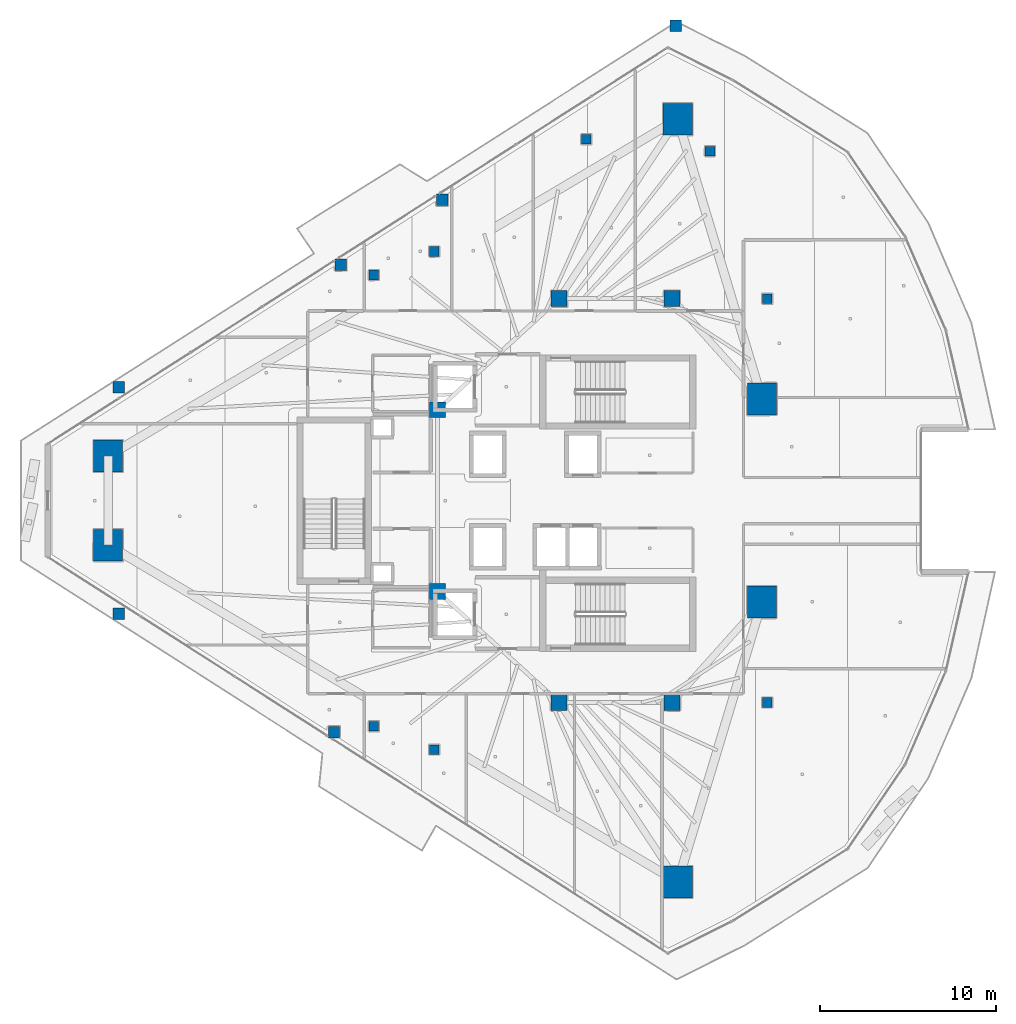
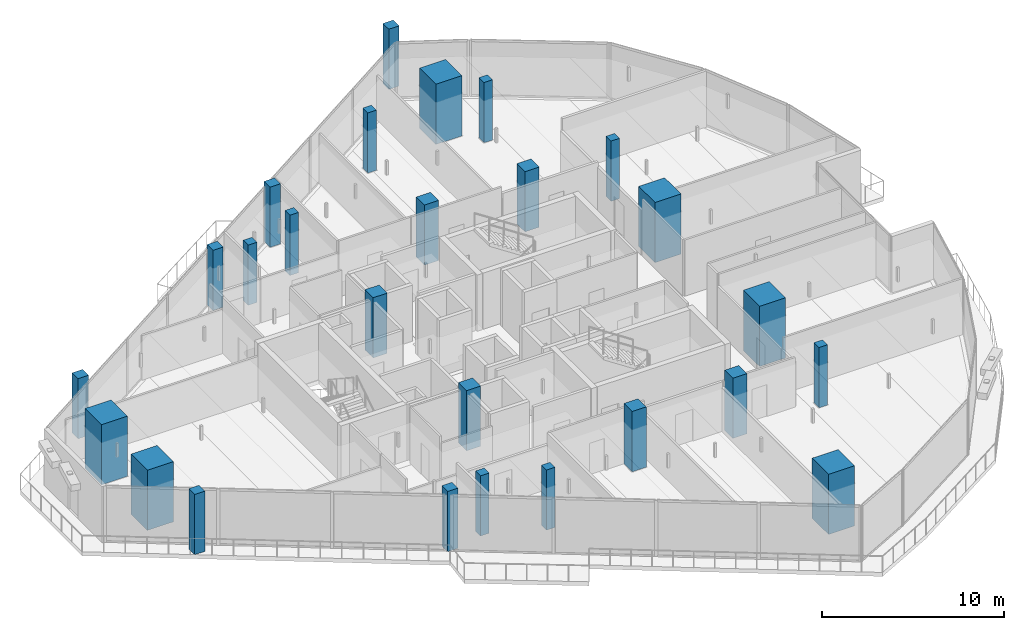
# One storey, part 1 of 36: 26 columns.
"""IFC4 building model written with IfcOpenShell, lengths in metres."""

import ifcopenshell
import ifcopenshell.guid

model = None  # the IFC model being written
_history = None  # IfcOwnerHistory: only IFC2X3 demands one
_inside = {}  # id of a spatial element -> (the spatial element, [elements in it])
_under = {}  # id of a project, library or spatial element -> (it, [spatial elements below it])
_declared = {}  # id of a project -> (the project, [libraries it declares])
_typed = {}  # id of a type object -> (the type object, [elements of that type])
_made_of = {}  # id of a material, layer set ... -> (it, [elements and type objects made of it])


def new_model(schema):
    """Start an empty IFC model of exactly this schema.

    Asked for "IFC4X3", IfcOpenShell would pick the latest addendum, in which some entities
    have other attributes; the version numbers below select the first issue.
    IFC2X3 requires an IfcOwnerHistory on every rooted entity: one is made here for all.
    """
    global model, _history
    if schema == "IFC4X3":
        model = ifcopenshell.file(schema_version=(4, 3, 0, 0))
    else:
        model = ifcopenshell.file(schema=schema)
    _inside.clear()
    _under.clear()
    _declared.clear()
    _typed.clear()
    _made_of.clear()
    _history = None
    if model.schema == "IFC2X3":
        org = make("IfcOrganization", Name="unknown")
        user = make(
            "IfcPersonAndOrganization",
            ThePerson=make("IfcPerson", FamilyName="unknown"),
            TheOrganization=org,
        )
        app = make(
            "IfcApplication",
            ApplicationDeveloper=org,
            Version="unknown",
            ApplicationFullName="unknown",
            ApplicationIdentifier="unknown",
        )
        _history = make(
            "IfcOwnerHistory",
            OwningUser=user,
            OwningApplication=app,
            ChangeAction="ADDED",
            CreationDate=0,
        )
    return model


def make(cls, **values):
    """One entity of the class cls with the attributes given. An attribute that is None is left unset."""
    return model.create_entity(
        cls, **{name: value for name, value in values.items() if value is not None}
    )


def rooted(cls, **values):
    """An entity with a GlobalId (a new one), such as an element, a storey or a relation."""
    return make(cls, GlobalId=ifcopenshell.guid.new(), OwnerHistory=_history, **values)


def si_unit(unit_type, name, prefix=None):
    """IfcSIUnit, for example si_unit("LENGTHUNIT", "METRE", prefix="MILLI")."""
    return make("IfcSIUnit", UnitType=unit_type, Prefix=prefix, Name=name)


def assignment(units):
    """IfcUnitAssignment: the units of a project."""
    return None if units is None else make("IfcUnitAssignment", Units=units)


def point(xyz):
    """IfcCartesianPoint."""
    return None if xyz is None else make("IfcCartesianPoint", Coordinates=xyz)


def direction(xyz):
    """IfcDirection."""
    return None if xyz is None else make("IfcDirection", DirectionRatios=xyz)


def frame(location, z_axis=None, x_axis=None):
    """IfcAxis2Placement3D, a coordinate frame: its origin and axes. An axis left out is left unset."""
    return make(
        "IfcAxis2Placement3D",
        Location=point(location),
        Axis=direction(z_axis),
        RefDirection=direction(x_axis),
    )


def frame_2d(location, x_axis=None):
    """IfcAxis2Placement2D, a coordinate frame in the plane: its origin and x axis."""
    return make(
        "IfcAxis2Placement2D", Location=point(location), RefDirection=direction(x_axis)
    )


def origin():
    """The frame at (0, 0, 0) with its axes left unset."""
    return frame((0.0, 0.0, 0.0))


def origin_2d():
    """The frame at (0, 0) in the plane with its x axis left unset."""
    return frame_2d((0.0, 0.0))


def place(relative_to, where):
    """IfcLocalPlacement: puts the frame where relative to a parent placement (None: the world)."""
    return make(
        "IfcLocalPlacement", PlacementRelTo=relative_to, RelativePlacement=where
    )


def context(
    kind, dimensions, precision=None, world=None, true_north=None, identifier=None
):
    """IfcGeometricRepresentationContext, for example the 3D "Model" context."""
    return make(
        "IfcGeometricRepresentationContext",
        ContextIdentifier=identifier,
        ContextType=kind,
        CoordinateSpaceDimension=dimensions,
        Precision=precision,
        WorldCoordinateSystem=world,
        TrueNorth=true_north,
    )


def subcontext(parent, identifier, kind, view, scale=None):
    """IfcGeometricRepresentationSubContext, for example "Body" below "Model"."""
    return make(
        "IfcGeometricRepresentationSubContext",
        ContextIdentifier=identifier,
        ContextType=kind,
        ParentContext=parent,
        TargetScale=scale,
        TargetView=view,
    )


def project(units=None, contexts=None):
    """IfcProject with its units and contexts."""
    return rooted(
        "IfcProject",
        Name="project",
        RepresentationContexts=contexts,
        UnitsInContext=assignment(units),
    )


def spatial(cls, under=None, at=None, **own):
    """A site, building, storey or space (cls), placed at a placement, below another one or the project."""
    s = rooted(cls, ObjectPlacement=at, **own)
    if under is not None:
        _under.setdefault(under.id(), (under, []))[1].append(s)
    return s


def profile(cls, at=None, kind="AREA", **sizes):
    """A parametric profile (cls). Its sizes go by their IFC names, for example OverallWidth=200.0."""
    return make(cls, ProfileType=kind, Position=at, **sizes)


def rectangle(**sizes):
    """IfcRectangleProfileDef."""
    return profile("IfcRectangleProfileDef", **sizes)


def extrude(swept, where, along, depth):
    """IfcExtrudedAreaSolid: the profile swept, set in the frame where, extruded along a direction by depth."""
    return make(
        "IfcExtrudedAreaSolid",
        SweptArea=swept,
        Position=where,
        ExtrudedDirection=direction(along),
        Depth=depth,
    )


def shape(context_of_items, identifier, shape_type, items):
    """IfcShapeRepresentation: the items that make up one representation, for example the "Body"."""
    return make(
        "IfcShapeRepresentation",
        ContextOfItems=context_of_items,
        RepresentationIdentifier=identifier,
        RepresentationType=shape_type,
        Items=items,
    )


def material(Name=None, Category=None):
    """IfcMaterial."""
    return make("IfcMaterial", Name=Name, Category=Category)


def material_profile(
    of_material, cross_section, Name=None, Category=None, Priority=None
):
    """IfcMaterialProfile: a cross section and its material."""
    return make(
        "IfcMaterialProfile",
        Name=Name,
        Material=of_material,
        Profile=cross_section,
        Priority=Priority,
        Category=Category,
    )


def profile_set(profiles, Name=None, composite=None):
    """IfcMaterialProfileSet."""
    return make(
        "IfcMaterialProfileSet",
        Name=Name,
        MaterialProfiles=profiles,
        CompositeProfile=composite,
    )


def made_of(thing, what):
    """Note that an element or type object is made of a material, layer set ...; save() writes the relation."""
    if what is not None:
        _made_of.setdefault(what.id(), (what, []))[1].append(thing)
    return thing


def type_object(cls, material=None, **own):
    """A type object (cls), such as IfcWallType, which elements share."""
    return made_of(rooted(cls, **own), material)


def element(
    cls,
    number,
    at=None,
    inside=None,
    cuts=None,
    type_object=None,
    material=None,
    context=None,
    identifier="Body",
    shape_type=None,
    held_by="IfcProductDefinitionShape",
    body=None,
    shapes=None,
    **own,
):
    """One element of the class cls, such as IfcWall. Its Tag is "e" and its number.

    at: its placement. inside: the storey or other place that contains it. cuts: it is an
    opening in that element (IfcRelVoidsElement). A single representation is given by context,
    identifier, shape_type and body (its items); several are given by shapes. held_by: the class
    of the entity that holds the representations. save() writes the other relations.
    """
    e = rooted(cls, Tag="e%d" % number, ObjectPlacement=at, **own)
    if body is not None:
        shapes = [shape(context, identifier, shape_type, body)]
    if shapes is not None:
        e.Representation = make(held_by, Representations=shapes)
    if inside is not None:
        _inside.setdefault(inside.id(), (inside, []))[1].append(e)
    if cuts is not None:
        rooted(
            "IfcRelVoidsElement", RelatingBuildingElement=cuts, RelatedOpeningElement=e
        )
    if type_object is not None:
        _typed.setdefault(type_object.id(), (type_object, []))[1].append(e)
    return made_of(e, material)


def aggregate(whole, parts):
    """IfcRelAggregates: a whole, such as a stair, and the parts it consists of."""
    return rooted("IfcRelAggregates", RelatingObject=whole, RelatedObjects=parts)


def save(model, path):
    """Write the relations noted so far, then the file.

    IfcRelAggregates (storeys below a building ...), IfcRelContainedInSpatialStructure (elements
    in a storey), IfcRelDefinesByType, IfcRelAssociatesMaterial and IfcRelDeclares: one each for
    every whole, place, type object, material and project.
    """
    for whole, parts in _under.values():
        aggregate(whole, parts)
    for where, things in _inside.values():
        rooted(
            "IfcRelContainedInSpatialStructure",
            RelatedElements=things,
            RelatingStructure=where,
        )
    for kind, things in _typed.values():
        rooted("IfcRelDefinesByType", RelatedObjects=things, RelatingType=kind)
    for what, things in _made_of.values():
        rooted("IfcRelAssociatesMaterial", RelatedObjects=things, RelatingMaterial=what)
    for by, libraries in _declared.values():
        rooted("IfcRelDeclares", RelatingContext=by, RelatedDefinitions=libraries)
    model.write(path)


model = new_model("IFC4")

# Units and contexts
model_context = context("Model", 3, precision=1e-05, world=origin(), true_north=direction((0.0, 1.0)))
body_context = subcontext(model_context, "Body", "Model", "MODEL_VIEW")
ifc_project = project(units=[si_unit("LENGTHUNIT", "METRE"), si_unit("AREAUNIT", "SQUARE_METRE"), si_unit("VOLUMEUNIT", "CUBIC_METRE"), si_unit("PLANEANGLEUNIT", "RADIAN"), si_unit("MASSUNIT", "GRAM", prefix="KILO")], contexts=[model_context])

# Site, building, storey
site_placement = place(None, origin())
site = spatial("IfcSite", under=ifc_project, at=site_placement, CompositionType="ELEMENT")
building_placement = place(site_placement, origin())
building = spatial("IfcBuilding", under=site, at=building_placement, Name="Qorvath Tower", CompositionType="ELEMENT")
storey_placement = place(building_placement, frame((0.0, 0.0, 241.5)))
storey = spatial("IfcBuildingStorey", under=building, at=storey_placement, Name="L56", CompositionType="ELEMENT", Elevation=241.5)

# Columns
ifc_material_1 = material(Name="Concrete C60/75", Category="concrete")
ifc_material_profile_1 = material_profile(ifc_material_1, rectangle(XDim=1.64990234375, YDim=1.800048828125, at=origin_2d()), Name="MC 1800x1650")
ifc_profile_set_1 = profile_set([ifc_material_profile_1], Name="Concrete C60/75")
column_type_1 = type_object("IfcColumnType", Name="COL-MC4", PredefinedType="COLUMN", material=ifc_profile_set_1)
for number, where, z_axis, x_axis, name in (
    (1, (-49.171875, 2.52783203125, 0.0), (0.0, 0.0, 1.0), (1.0, 0.0, 0.0), "Composite Mega-Column MC1 L56"),
    (2, (-49.171875, -2.52783203125, 0.0), (0.0, 0.0, 1.0), (1.0, 0.0, 0.0), "Composite Mega-Column MC2 L56"),
    (3, (-16.87158203125, -21.627197265625, 0.0), (0.0, 0.0, 1.0), (1.0, 0.0, 0.0), "Composite Mega-Column MC3 L56"),
    (4, (-12.0966796875, -5.7578125, 0.0), (0.0, 0.0, 1.0), (1.0, 0.0, 0.0), "Composite Mega-Column MC4 L56"),
    (5, (-12.0966796875, 5.7578125, 0.0), (0.0, 0.0, 1.0), (1.0, 0.0, 0.0), "Composite Mega-Column MC5 L56"),
    (6, (-16.87158203125, 21.627197265625, 0.0), (0.0, 0.0, 1.0), (1.0, 0.0, 0.0), "Composite Mega-Column MC6 L56"),
):
    element("IfcColumn", number, at=place(storey_placement, frame(where, z_axis=z_axis, x_axis=x_axis)), inside=storey, type_object=column_type_1, Name=name, PredefinedType="COLUMN", context=body_context, shape_type="SweptSolid", body=[
        extrude(rectangle(XDim=1.64990234375, YDim=1.800048828125, at=origin_2d()), origin(), (0.0, 0.0, 1.0), 4.050048828125),
    ])
ifc_material_2 = material(Name="Concrete C50/60", Category="concrete")
ifc_material_profile_2 = material_profile(ifc_material_2, rectangle(XDim=0.89990234375, YDim=0.89990234375, at=origin_2d()), Name="RC 900x900")
ifc_profile_set_2 = profile_set([ifc_material_profile_2], Name="Concrete C50/60")
column_type_2 = type_object("IfcColumnType", Name="COL-RC3", PredefinedType="COLUMN", material=ifc_profile_set_2)
for number, where, z_axis, x_axis, name in (
    (7, (-23.60009765625, 11.449951171875, 0.0), (0.0, 0.0, 1.0), (1.0, 0.0, 0.0), "Core Spine Column CC1 L56"),
    (8, (-17.199951171875, 11.449951171875, 0.0), (0.0, 0.0, 1.0), (1.0, 0.0, 0.0), "Core Spine Column CC2 L56"),
    (9, (-17.199951171875, -11.449951171875, 0.0), (0.0, 0.0, 1.0), (1.0, 0.0, 0.0), "Core Spine Column CC3 L56"),
    (10, (-23.60009765625, -11.449951171875, 0.0), (0.0, 0.0, 1.0), (1.0, 0.0, 0.0), "Core Spine Column CC4 L56"),
    (11, (-30.5, 5.14990234375, 0.0), (0.0, 0.0, 1.0), (1.0, 0.0, 0.0), "Core Spine Column CC5 L56"),
    (12, (-30.5, -5.14990234375, 0.0), (0.0, 0.0, 1.0), (1.0, 0.0, 0.0), "Core Spine Column CC6 L56"),
):
    element("IfcColumn", number, at=place(storey_placement, frame(where, z_axis=z_axis, x_axis=x_axis)), inside=storey, type_object=column_type_2, Name=name, PredefinedType="COLUMN", context=body_context, shape_type="SweptSolid", body=[
        extrude(rectangle(XDim=0.89990234375, YDim=0.89990234375, at=origin_2d()), origin(), (0.0, 0.0, 1.0), 4.050048828125),
    ])
ifc_material_3 = material(Name="Concrete C45/55", Category="concrete")
ifc_material_profile_3 = material_profile(ifc_material_3, rectangle(XDim=0.64990234375, YDim=0.64990234375, at=origin_2d()), Name="RC 650x650")
ifc_profile_set_3 = profile_set([ifc_material_profile_3], Name="Concrete C45/55")
column_type_3 = type_object("IfcColumnType", Name="COL-RC6", PredefinedType="COLUMN", material=ifc_profile_set_3)
for number, where, z_axis, x_axis, name in (
    (13, (-48.578369140625, 6.424560546875, 0.0), (0.0, 0.0, 1.0), (1.0, 0.0, 0.0), "Loggia Frame Pier Column LGE1 L56"),
    (14, (-48.578369140625, -6.424560546875, 0.0), (0.0, 0.0, 1.0), (1.0, 0.0, 0.0), "Loggia Frame Pier Column LGE2 L56"),
    (15, (-16.981201171875, 26.92919921875, 0.0), (0.0, 0.0, 1.0), (1.0, 0.0, 0.0), "Loggia Frame Pier Column LGE3 L56"),
    (16, (-35.980712890625, 13.380859375, 0.0), (0.0, 0.0, 1.0), (1.0, 0.0, 0.0), "Loggia Frame Pier Column LGF1 L56"),
    (17, (-36.36474609375, -13.135498046875, 0.0), (0.0, 0.0, 1.0), (1.0, 0.0, 0.0), "Loggia Frame Pier Column LGF2 L56"),
    (18, (-30.224853515625, 17.0595703125, 0.0), (0.0, 0.0, 1.0), (1.0, 0.0, 0.0), "Loggia Frame Pier Column LGF3 L56"),
):
    element("IfcColumn", number, at=place(storey_placement, frame(where, z_axis=z_axis, x_axis=x_axis)), inside=storey, type_object=column_type_3, Name=name, PredefinedType="COLUMN", context=body_context, shape_type="SweptSolid", body=[
        extrude(rectangle(XDim=0.64990234375, YDim=0.64990234375, at=origin_2d()), origin(), (0.0, 0.0, 1.0), 4.050048828125),
    ])
ifc_material_4 = material(Name="Concrete C45/55", Category="concrete")
ifc_material_profile_4 = material_profile(ifc_material_4, rectangle(XDim=0.550048828125, YDim=0.550048828125, at=origin_2d()), Name="RC 550x550")
ifc_profile_set_4 = profile_set([ifc_material_profile_4], Name="Concrete C45/55")
column_type_4 = type_object("IfcColumnType", Name="COL-RC7", PredefinedType="COLUMN", material=ifc_profile_set_4)
for number, where, z_axis, x_axis, name in (
    (19, (-34.104248046875, 12.79248046875, 0.0), (0.0, 0.0, 1.0), (1.0, 0.0, 0.0), "Loggia Frame Pier Column LGG1 L56"),
    (20, (-34.104248046875, -12.79248046875, 0.0), (0.0, 0.0, 1.0), (1.0, 0.0, 0.0), "Loggia Frame Pier Column LGG2 L56"),
    (21, (-22.05322265625, 20.494873046875, 0.0), (0.0, 0.0, 1.0), (1.0, 0.0, 0.0), "Loggia Frame Pier Column LGG3 L56"),
    (22, (-30.67724609375, 14.124267578125, 0.0), (0.0, 0.0, 1.0), (1.0, 0.0, 0.0), "Loggia Frame Pier Column LGH1 L56"),
    (23, (-30.67724609375, -14.124267578125, 0.0), (0.0, 0.0, 1.0), (1.0, 0.0, 0.0), "Loggia Frame Pier Column LGH2 L56"),
    (24, (-15.046142578125, 19.818115234375, 0.0), (0.0, 0.0, 1.0), (1.0, 0.0, 0.0), "Loggia Frame Pier Column LGH3 L56"),
    (25, (-11.800048828125, -11.449951171875, 0.0), (0.0, 0.0, 1.0), (1.0, 0.0, 0.0), "Central Slot Jamb Column SC1 L56"),
    (26, (-11.800048828125, 11.449951171875, 0.0), (0.0, 0.0, 1.0), (1.0, 0.0, 0.0), "Central Slot Jamb Column SC2 L56"),
):
    element("IfcColumn", number, at=place(storey_placement, frame(where, z_axis=z_axis, x_axis=x_axis)), inside=storey, type_object=column_type_4, Name=name, PredefinedType="COLUMN", context=body_context, shape_type="SweptSolid", body=[
        extrude(rectangle(XDim=0.550048828125, YDim=0.550048828125, at=origin_2d()), origin(), (0.0, 0.0, 1.0), 4.050048828125),
    ])

save(model, "model.ifc")
